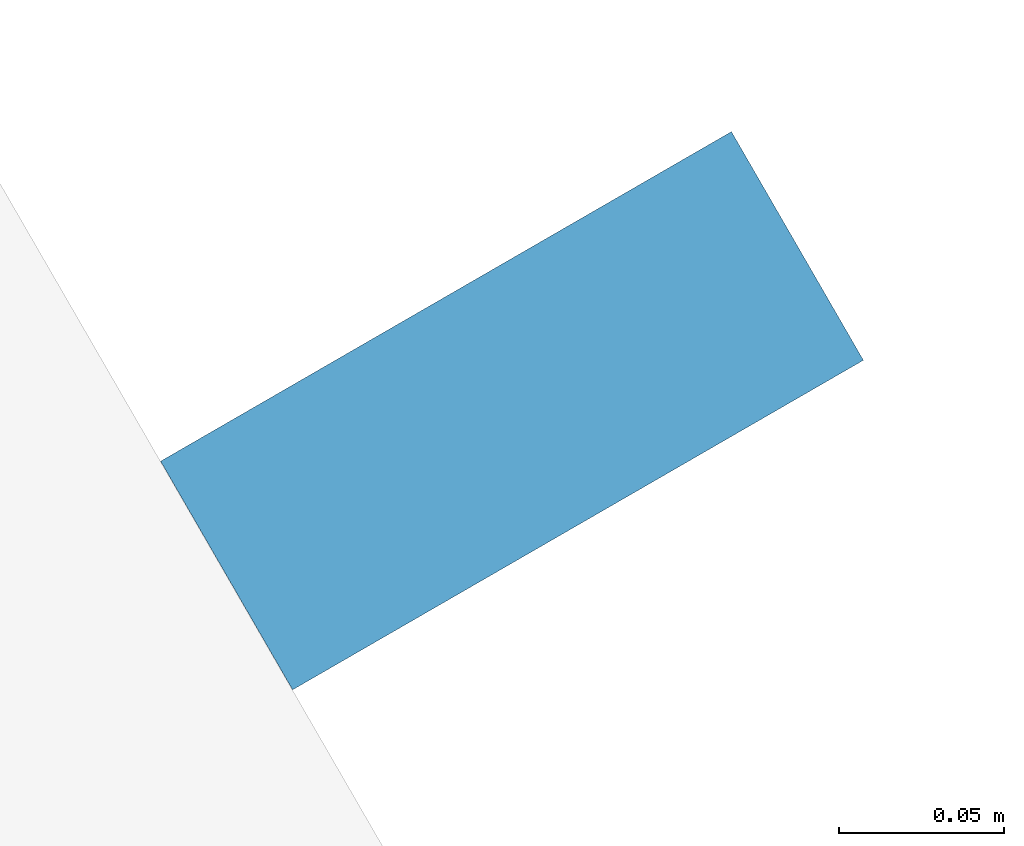
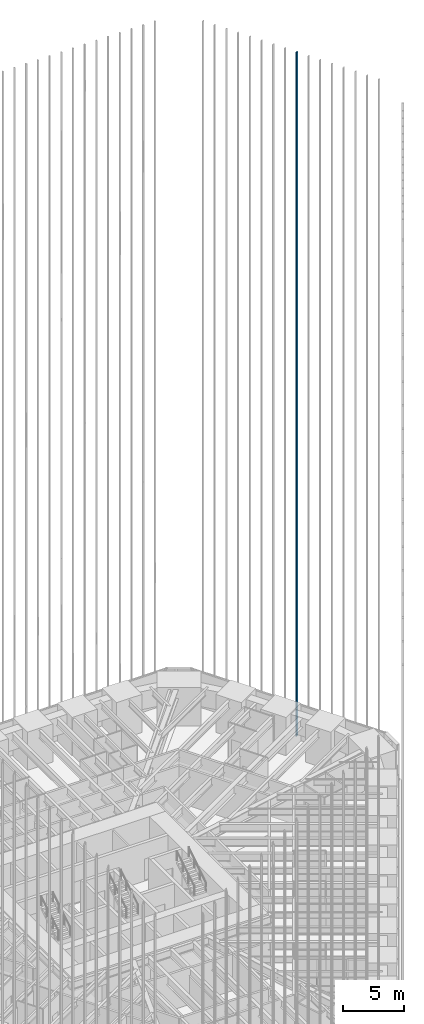
# One storey, part 210 of 256: 1 member, 1 element without a shape of its own.
"""IFC4 building model written with IfcOpenShell, lengths in metres."""

from ifc_helpers import new_model, si_unit, direction, frame, origin, origin_2d, place, context, subcontext, project, spatial, rectangle, extrude, material, material_profile, profile_set, type_object, element, aggregate, save


model = new_model("IFC4")

# Units and contexts
model_context = context("Model", 3, precision=1e-05, world=origin(), true_north=direction((0.0, 1.0)))
body_context = subcontext(model_context, "Body", "Model", "MODEL_VIEW")
ifc_project = project(units=[si_unit("LENGTHUNIT", "METRE"), si_unit("AREAUNIT", "SQUARE_METRE"), si_unit("VOLUMEUNIT", "CUBIC_METRE"), si_unit("PLANEANGLEUNIT", "RADIAN"), si_unit("MASSUNIT", "GRAM", prefix="KILO")], contexts=[model_context])

# Site, building, storey
site_placement = place(None, origin())
site = spatial("IfcSite", under=ifc_project, at=site_placement, CompositionType="ELEMENT")
building_placement = place(site_placement, origin())
building = spatial("IfcBuilding", under=site, at=building_placement, Name="Sandreach Pilgrim Tower", CompositionType="ELEMENT")
storey_placement = place(building_placement, frame((0.0, 0.0, 23.0)))
storey = spatial("IfcBuildingStorey", under=building, at=storey_placement, Name="L04", CompositionType="ELEMENT", Elevation=23.0)

# Curtain wall, member
ifc_material_1 = material(Name="Aluminium framed curtain wall", Category="aluminium")
curtain_wall_type = type_object("IfcCurtainWallType", Name="Hostel tower curtain wall", PredefinedType="NOTDEFINED", material=ifc_material_1)
curtain_wall_placement = place(storey_placement, origin())
curtain_wall = element("IfcCurtainWall", 1, at=curtain_wall_placement, inside=storey, type_object=curtain_wall_type, Name="CW-1 L04 NE", PredefinedType="NOTDEFINED")
ifc_material_2 = material(Name="Extruded terracotta on aluminium core", Category="masonry")
ifc_material_profile = material_profile(ifc_material_2, rectangle(XDim=0.080078125, YDim=0.199951171875, at=origin_2d()), Name="TBE 80X200")
ifc_profile_set = profile_set([ifc_material_profile], Name="Extruded terracotta on aluminium core")
member_type = type_object("IfcMemberType", Name="Terracotta baguette east", PredefinedType="USERDEFINED", material=ifc_profile_set)
member_placement = place(storey_placement, frame((26.61328125, 14.726318359375, 0.0), z_axis=(0.0, 0.0, 1.0), x_axis=(0.5, -0.866025403784, 0.0)))
member = element("IfcMember", 2, at=member_placement, type_object=member_type, Name="Baguette Z1 NE09", ObjectType="BAGUETTE", PredefinedType="USERDEFINED", context=body_context, shape_type="SweptSolid", body=[
    extrude(rectangle(XDim=0.080078125, YDim=0.199951171875, at=origin_2d()), origin(), (0.0, 0.0, 1.0), 68.239990234375),
])
aggregate(curtain_wall, [member])

save(model, "model.ifc")
